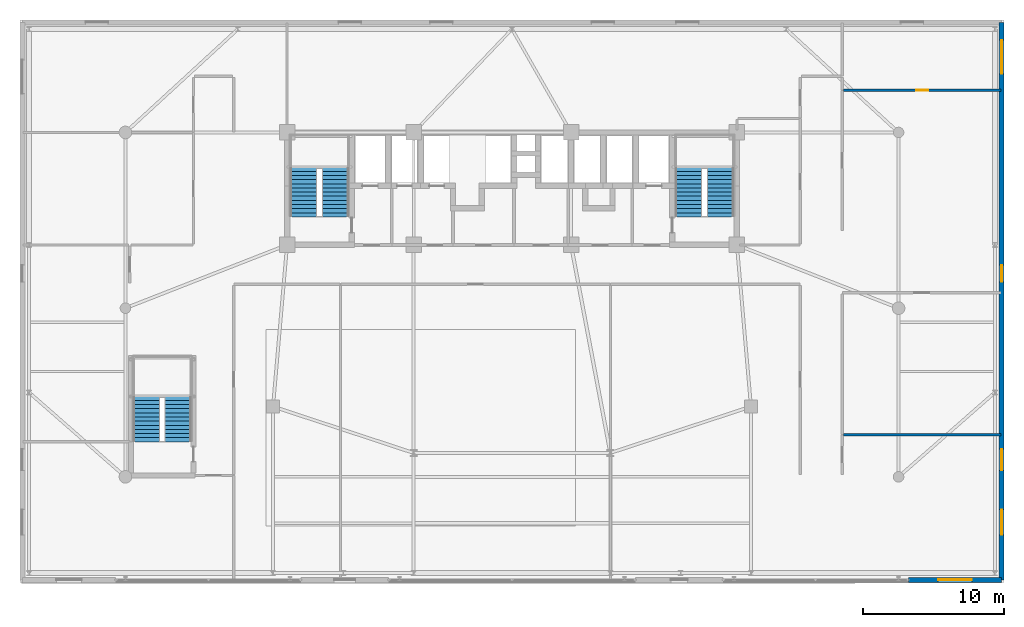
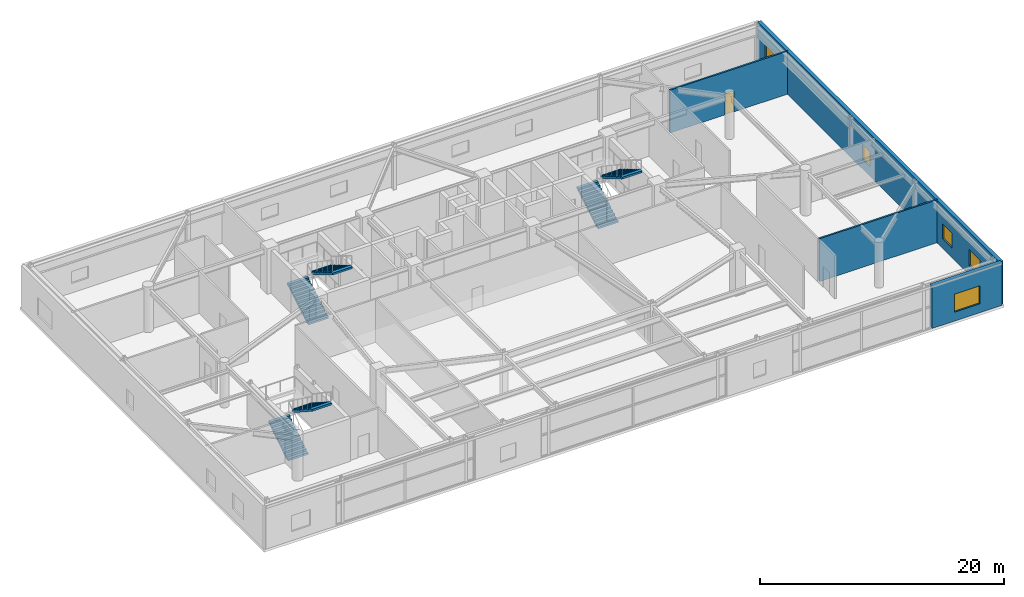
# One storey, part 23 of 26: 6 stair flights, 5 windows, 4 walls, 1 door, 6 openings, 3 elements without a shape of their own.
"""IFC4 building model written with IfcOpenShell, lengths in metres."""

from ifc_helpers import new_model, si_unit, direction, frame, frame_2d, origin, place, context, subcontext, project, spatial, polyline, rectangle, outline, extrude, source, transform, mapped, material, layer, layer_set, type_object, element, fill, aggregate, save


model = new_model("IFC4")

# Units and contexts
model_context = context("Model", 3, precision=1e-05, world=origin(), true_north=direction((0.0, 1.0)))
body_context = subcontext(model_context, "Body", "Model", "MODEL_VIEW")
ifc_project = project(units=[si_unit("LENGTHUNIT", "METRE"), si_unit("AREAUNIT", "SQUARE_METRE"), si_unit("VOLUMEUNIT", "CUBIC_METRE"), si_unit("PLANEANGLEUNIT", "RADIAN"), si_unit("MASSUNIT", "GRAM", prefix="KILO")], contexts=[model_context])

# Site, building, storey
site_placement = place(None, origin())
site = spatial("IfcSite", under=ifc_project, at=site_placement, CompositionType="ELEMENT")
building_placement = place(site_placement, origin())
building = spatial("IfcBuilding", under=site, at=building_placement, Name="Taldren Reach Tower", CompositionType="ELEMENT")
storey_placement = place(building_placement, frame((0.0, 0.0, 8.39990234375)))
storey = spatial("IfcBuildingStorey", under=building, at=storey_placement, Name="L02", CompositionType="ELEMENT", Elevation=8.39990234375)

# Wall, openings, windows
ifc_material_1 = material(Name="Pale Champagne Anodised Aluminium Cladding", Category="aluminium")
ifc_layer_1 = layer(ifc_material_1, 0.04, Name="Pale Champagne Anodised Aluminium Cladding", Category="aluminium")
ifc_material_2 = material(Name="Mineral Wool Thermal Insulation", Category="insulation")
ifc_layer_2 = layer(ifc_material_2, 0.08, Name="Mineral Wool Thermal Insulation", Category="insulation")
ifc_material_3 = material(Name="Concrete S50 (50 MPa)", Category="concrete")
ifc_layer_3 = layer(ifc_material_3, 0.22, Name="Concrete S50 (50 MPa)", Category="concrete")
ifc_layer_set_1 = layer_set([ifc_layer_1, ifc_layer_2, ifc_layer_3], Name="Pale Champagne Aluminium Cladding and Precast Concrete 50 MPa (S50)")
wall_type_1 = type_object("IfcWallType", Name="EW-POD-340", PredefinedType="SOLIDWALL", material=ifc_layer_set_1)
shared_shape_1 = source(origin(), body_context, "Body", "SweptSolid", [
    extrude(rectangle(XDim=39.66015625, YDim=0.340087890625, at=frame_2d((19.830078125, 0.0))), origin(), (0.0, 0.0, 1.0), 4.2900390625),
])
wall_1_placement = place(storey_placement, frame((69.830078125, 0.169921875, 0.0), z_axis=(0.0, 0.0, 1.0), x_axis=(0.0, 1.0, 0.0)))
wall_1 = element("IfcWall", 1, at=wall_1_placement, inside=storey, type_object=wall_type_1, Name="Podium facade wall L02-E", PredefinedType="SOLIDWALL", context=body_context, shape_type="MappedRepresentation", body=[
    mapped(shared_shape_1, transform((0.0, 0.0, 0.0), scale=1.0)),
])
shared_shape_2 = source(origin(), body_context, "Body", "SweptSolid", [
    extrude(rectangle(XDim=1.800048828125, YDim=1.60009765625, at=frame_2d((0.89990234375, 0.800048828125))), frame((0.0, 0.18017578125, 0.0), z_axis=(0.0, -1.0, 0.0), x_axis=(1.0, 0.0, 0.0)), (0.0, 0.0, 1.0), 0.360107421875),
])
opening_1_placement = place(wall_1_placement, frame((3.199951171875, 0.0, 0.949951171875)))
opening_1 = element("IfcOpeningElement", 2, at=opening_1_placement, cuts=wall_1, Name="Opening W-1816", PredefinedType="OPENING", context=body_context, shape_type="MappedRepresentation", body=[
    mapped(shared_shape_2, transform((0.0, 0.0, 0.0), scale=1.0)),
])
shared_shape_3 = source(origin(), body_context, "Body", "SweptSolid", [
    extrude(rectangle(XDim=1.5, YDim=1.5, at=frame_2d((0.75, 0.75))), frame((0.0, 0.18017578125, 0.0), z_axis=(0.0, -1.0, 0.0), x_axis=(1.0, 0.0, 0.0)), (0.0, 0.0, 1.0), 0.360107421875),
])
opening_2_placement = place(wall_1_placement, frame((7.800048828125, 0.0, 0.949951171875)))
opening_2 = element("IfcOpeningElement", 3, at=opening_2_placement, cuts=wall_1, Name="Opening W-1515", PredefinedType="OPENING", context=body_context, shape_type="MappedRepresentation", body=[
    mapped(shared_shape_3, transform((0.0, 0.0, 0.0), scale=1.0)),
])
shared_shape_4 = source(origin(), body_context, "Body", "SweptSolid", [
    extrude(rectangle(XDim=1.199951171875, YDim=1.5, at=frame_2d((0.60009765625, 0.75))), frame((0.0, 0.18017578125, 0.0), z_axis=(0.0, -1.0, 0.0), x_axis=(1.0, 0.0, 0.0)), (0.0, 0.0, 1.0), 0.360107421875),
])
opening_3_placement = place(wall_1_placement, frame((21.199951171875, 0.0, 0.949951171875)))
opening_3 = element("IfcOpeningElement", 4, at=opening_3_placement, cuts=wall_1, Name="Opening W-1215", PredefinedType="OPENING", context=body_context, shape_type="MappedRepresentation", body=[
    mapped(shared_shape_4, transform((0.0, 0.0, 0.0), scale=1.0)),
])
shared_shape_5 = source(origin(), body_context, "Body", "SweptSolid", [
    extrude(rectangle(XDim=2.39990234375, YDim=1.800048828125, at=frame_2d((1.199951171875, 0.89990234375))), frame((0.0, 0.18017578125, 0.0), z_axis=(0.0, -1.0, 0.0), x_axis=(1.0, 0.0, 0.0)), (0.0, 0.0, 1.0), 0.360107421875),
])
opening_4_placement = place(wall_1_placement, frame((36.0, 0.0, 0.949951171875)))
opening_4 = element("IfcOpeningElement", 5, at=opening_4_placement, cuts=wall_1, Name="Opening W-2418", PredefinedType="OPENING", context=body_context, shape_type="MappedRepresentation", body=[
    mapped(shared_shape_5, transform((0.0, 0.0, 0.0), scale=1.0)),
])
ifc_material_4 = material(Name="Thermally Broken Aluminium and Low-E IGU", Category="aluminium")
window_type_1 = type_object("IfcWindowType", Name="WN-POD-1200", PartitioningType="SINGLE_PANEL", PredefinedType="WINDOW", material=ifc_material_4)
shared_shape_6 = source(origin(), body_context, "Body", "SweptSolid", [
    extrude(rectangle(XDim=1.199951171875, YDim=1.5, at=frame_2d((0.60009765625, 0.75))), frame((0.0, 0.030029296875, 0.0), z_axis=(0.0, -1.0, 0.0), x_axis=(1.0, 0.0, 0.0)), (0.0, 0.0, 1.0), 0.06005859375),
])
window_1_placement = place(opening_3_placement, origin())
window_1 = element("IfcWindow", 6, at=window_1_placement, inside=storey, type_object=window_type_1, Name="Clinical window L02-E3", OverallHeight=1.5, OverallWidth=1.199951171875, PartitioningType="SINGLE_PANEL", PredefinedType="WINDOW", context=body_context, shape_type="MappedRepresentation", body=[
    mapped(shared_shape_6, transform((0.0, 0.0, 0.0), scale=1.0)),
])
fill(opening_3, window_1)
window_type_2 = type_object("IfcWindowType", Name="WN-POD-1800", PartitioningType="SINGLE_PANEL", PredefinedType="WINDOW", material=ifc_material_4)
shared_shape_7 = source(origin(), body_context, "Body", "SweptSolid", [
    extrude(rectangle(XDim=1.800048828125, YDim=1.60009765625, at=frame_2d((0.89990234375, 0.800048828125))), frame((0.0, 0.030029296875, 0.0), z_axis=(0.0, -1.0, 0.0), x_axis=(1.0, 0.0, 0.0)), (0.0, 0.0, 1.0), 0.06005859375),
])
window_2_placement = place(opening_1_placement, origin())
window_2 = element("IfcWindow", 7, at=window_2_placement, inside=storey, type_object=window_type_2, Name="Clinical window L02-E1", OverallHeight=1.60009765625, OverallWidth=1.800048828125, PartitioningType="SINGLE_PANEL", PredefinedType="WINDOW", context=body_context, shape_type="MappedRepresentation", body=[
    mapped(shared_shape_7, transform((0.0, 0.0, 0.0), scale=1.0)),
])
fill(opening_1, window_2)
window_type_3 = type_object("IfcWindowType", Name="WN-POD-2400", PartitioningType="SINGLE_PANEL", PredefinedType="WINDOW", material=ifc_material_4)
shared_shape_8 = source(origin(), body_context, "Body", "SweptSolid", [
    extrude(rectangle(XDim=2.39990234375, YDim=1.800048828125, at=frame_2d((1.199951171875, 0.89990234375))), frame((0.0, 0.030029296875, 0.0), z_axis=(0.0, -1.0, 0.0), x_axis=(1.0, 0.0, 0.0)), (0.0, 0.0, 1.0), 0.06005859375),
])
window_3_placement = place(opening_4_placement, origin())
window_3 = element("IfcWindow", 8, at=window_3_placement, inside=storey, type_object=window_type_3, Name="Clinical window L02-E4", OverallHeight=1.800048828125, OverallWidth=2.39990234375, PartitioningType="SINGLE_PANEL", PredefinedType="WINDOW", context=body_context, shape_type="MappedRepresentation", body=[
    mapped(shared_shape_8, transform((0.0, 0.0, 0.0), scale=1.0)),
])
fill(opening_4, window_3)
window_type_4 = type_object("IfcWindowType", Name="WN-POD-1500", PartitioningType="SINGLE_PANEL", PredefinedType="WINDOW", material=ifc_material_4)
shared_shape_9 = source(origin(), body_context, "Body", "SweptSolid", [
    extrude(rectangle(XDim=1.5, YDim=1.5, at=frame_2d((0.75, 0.75))), frame((0.0, 0.030029296875, 0.0), z_axis=(0.0, -1.0, 0.0), x_axis=(1.0, 0.0, 0.0)), (0.0, 0.0, 1.0), 0.06005859375),
])
window_4_placement = place(opening_2_placement, origin())
window_4 = element("IfcWindow", 9, at=window_4_placement, inside=storey, type_object=window_type_4, Name="Clinical window L02-E2", OverallHeight=1.5, OverallWidth=1.5, PartitioningType="SINGLE_PANEL", PredefinedType="WINDOW", context=body_context, shape_type="MappedRepresentation", body=[
    mapped(shared_shape_9, transform((0.0, 0.0, 0.0), scale=1.0)),
])
fill(opening_2, window_4)

# Wall, opening, window
shared_shape_10 = source(origin(), body_context, "Body", "SweptSolid", [
    extrude(rectangle(XDim=6.630126953125, YDim=0.340087890625, at=frame_2d((3.31494140625, 0.0))), origin(), (0.0, 0.0, 1.0), 4.2900390625),
])
wall_2_placement = place(storey_placement, frame((63.199951171875, 0.169921875, 0.0), z_axis=(0.0, 0.0, 1.0), x_axis=(1.0, 0.0, 0.0)))
wall_2 = element("IfcWall", 10, at=wall_2_placement, inside=storey, type_object=wall_type_1, Name="Podium south facade wall L02-S4", PredefinedType="SOLIDWALL", context=body_context, shape_type="MappedRepresentation", body=[
    mapped(shared_shape_10, transform((0.0, 0.0, 0.0), scale=1.0)),
])
opening_5_placement = place(wall_2_placement, frame((2.114990234375, 0.0, 0.89990234375)))
opening_5 = element("IfcOpeningElement", 11, at=opening_5_placement, cuts=wall_2, Name="Opening W-2418", PredefinedType="OPENING", context=body_context, shape_type="MappedRepresentation", body=[
    mapped(shared_shape_5, transform((0.0, 0.0, 0.0), scale=1.0)),
])
window_5_placement = place(opening_5_placement, origin())
window_5 = element("IfcWindow", 12, at=window_5_placement, inside=storey, type_object=window_type_3, Name="Podium clinical window L02-S4", OverallHeight=1.800048828125, OverallWidth=2.39990234375, PartitioningType="SINGLE_PANEL", PredefinedType="WINDOW", context=body_context, shape_type="MappedRepresentation", body=[
    mapped(shared_shape_8, transform((0.0, 0.0, 0.0), scale=1.0)),
])
fill(opening_5, window_5)

# Wall
ifc_material_5 = material(Name="Fire-Rated Acoustic Plasterboard Stud Wall", Category="gypsum")
ifc_layer_4 = layer(ifc_material_5, 0.159912109375)
ifc_layer_set_2 = layer_set([ifc_layer_4], Name="Fire-Rated Acoustic Plasterboard Stud Wall")
wall_type_2 = type_object("IfcWallType", Name="IW-FIRE-160", PredefinedType="PARTITIONING", material=ifc_layer_set_2)
shared_shape_11 = source(origin(), body_context, "Body", "SweptSolid", [
    extrude(rectangle(XDim=11.18994140625, YDim=0.159912109375, at=frame_2d((5.594970703125, 0.0))), origin(), (0.0, 0.0, 1.0), 4.2900390625),
])
wall_3_placement = place(storey_placement, frame((58.580078125, 10.5, 0.0), z_axis=(0.0, 0.0, 1.0), x_axis=(1.0, 0.0, 0.0)))
element("IfcWall", 13, at=wall_3_placement, inside=storey, type_object=wall_type_2, Name="Interior Partition Wall W-INT-L02-079", PredefinedType="PARTITIONING", context=body_context, shape_type="MappedRepresentation", body=[
    mapped(shared_shape_11, transform((0.0, 0.0, 0.0), scale=1.0)),
])

# Wall, opening, door
wall_4_placement = place(storey_placement, frame((58.580078125, 35.0, 0.0), z_axis=(0.0, 0.0, 1.0), x_axis=(1.0, 0.0, 0.0)))
wall_4 = element("IfcWall", 14, at=wall_4_placement, inside=storey, type_object=wall_type_2, Name="Interior Partition Wall W-INT-L02-080", PredefinedType="PARTITIONING", context=body_context, shape_type="MappedRepresentation", body=[
    mapped(shared_shape_11, transform((0.0, 0.0, 0.0), scale=1.0)),
])
shared_shape_12 = source(origin(), body_context, "Body", "SweptSolid", [
    extrude(rectangle(XDim=0.860107421875, YDim=2.10009765625, at=frame_2d((0.43017578125, 1.050048828125))), frame((0.0, 0.08984375, 0.0), z_axis=(0.0, -1.0, 0.0), x_axis=(1.0, 0.0, 0.0)), (0.0, 0.0, 1.0), 0.179931640625),
])
opening_6_placement = place(wall_4_placement, frame((5.1650390625, 0.0, 0.0)))
opening_6 = element("IfcOpeningElement", 15, at=opening_6_placement, cuts=wall_4, Name="Opening DI-086", PredefinedType="OPENING", context=body_context, shape_type="MappedRepresentation", body=[
    mapped(shared_shape_12, transform((0.0, 0.0, 0.0), scale=1.0)),
])
ifc_material_6 = material(Name="Timber Bathroom Door", Category="wood")
door_type = type_object("IfcDoorType", Name="ID-INT-086", OperationType="NOTDEFINED", PredefinedType="DOOR", material=ifc_material_6)
shared_shape_13 = source(origin(), body_context, "Body", "SweptSolid", [
    extrude(rectangle(XDim=0.860107421875, YDim=2.10009765625, at=frame_2d((0.43017578125, 1.050048828125))), frame((0.0, 0.02490234375, 0.0), z_axis=(0.0, -1.0, 0.0), x_axis=(1.0, 0.0, 0.0)), (0.0, 0.0, 1.0), 0.050048828125),
])
door_placement = place(opening_6_placement, origin())
door = element("IfcDoor", 16, at=door_placement, inside=storey, type_object=door_type, Name="Interior Door DR-L02-022", OperationType="SINGLE_SWING_LEFT", OverallHeight=2.10009765625, OverallWidth=0.860107421875, PredefinedType="DOOR", context=body_context, shape_type="MappedRepresentation", body=[
    mapped(shared_shape_13, transform((0.0, 0.0, 0.0), scale=1.0)),
])
fill(opening_6, door)

# Stair, stair flights
stair_type_1 = type_object("IfcStairType", Name="ST-HT-455", PredefinedType="HALF_TURN_STAIR", material=ifc_material_3)
stair_1_placement = place(storey_placement, origin())
stair_1 = element("IfcStair", 17, at=stair_1_placement, inside=storey, type_object=stair_type_1, Name="Fire-isolated exit stair ST1 L02", PredefinedType="HALF_TURN_STAIR")
stair_flight_type_1 = type_object("IfcStairFlightType", Name="SF-STR-455", PredefinedType="STRAIGHT", material=ifc_material_3)
stair_flight_1_placement = place(storey_placement, frame((20.169921875, 25.989990234375, 0.0), z_axis=(0.0, 0.0, 1.0), x_axis=(0.0, 1.0, 0.0)))
stair_flight_1 = element("IfcStairFlight", 18, at=stair_flight_1_placement, type_object=stair_flight_type_1, Name="ST1 flight 1", NumberOfRisers=13, NumberOfTreads=12, PredefinedType="STRAIGHT", RiserHeight=0.175, TreadLength=0.295, context=body_context, shape_type="SweptSolid", body=[
    extrude(outline(polyline([(0.0, 0.0), (0.0, 0.175048828125), (0.294921875, 0.175048828125), (0.294921875, 0.35009765625), (0.590087890625, 0.35009765625), (0.590087890625, 0.52490234375), (0.885009765625, 0.52490234375), (0.885009765625, 0.699951171875), (1.179931640625, 0.699951171875), (1.179931640625, 0.875), (1.47509765625, 0.875), (1.47509765625, 1.050048828125), (1.77001953125, 1.050048828125), (1.77001953125, 1.22509765625), (2.06494140625, 1.22509765625), (2.06494140625, 1.39990234375), (2.360107421875, 1.39990234375), (2.360107421875, 1.574951171875), (2.655029296875, 1.574951171875), (2.655029296875, 1.75), (2.949951171875, 1.75), (2.949951171875, 1.925048828125), (3.2451171875, 1.925048828125), (3.2451171875, 2.10009765625), (3.5400390625, 2.10009765625), (3.5400390625, 2.27490234375), (3.5400390625, 1.9140625), (0.3134765625, 0.0), (0.0, 0.0)])), frame((0.0, 0.949951171875, 0.0), z_axis=(0.0, -1.0, 0.0), x_axis=(1.0, 0.0, 0.0)), (0.0, 0.0, 1.0), 1.89990234375),
])
stair_flight_2_placement = place(storey_placement, frame((22.429931640625, 29.530029296875, 2.275146484375), z_axis=(0.0, 0.0, 1.0), x_axis=(0.0, -1.0, 0.0)))
stair_flight_2 = element("IfcStairFlight", 19, at=stair_flight_2_placement, type_object=stair_flight_type_1, Name="ST1 flight 2", NumberOfRisers=13, NumberOfTreads=12, PredefinedType="STRAIGHT", RiserHeight=0.175, TreadLength=0.295, context=body_context, shape_type="SweptSolid", body=[
    extrude(outline(polyline([(0.0, 0.0), (0.0, 0.175048828125), (0.294921875, 0.175048828125), (0.294921875, 0.35009765625), (0.590087890625, 0.35009765625), (0.590087890625, 0.52490234375), (0.885009765625, 0.52490234375), (0.885009765625, 0.699951171875), (1.179931640625, 0.699951171875), (1.179931640625, 0.875), (1.47509765625, 0.875), (1.47509765625, 1.050048828125), (1.77001953125, 1.050048828125), (1.77001953125, 1.22509765625), (2.06494140625, 1.22509765625), (2.06494140625, 1.39990234375), (2.360107421875, 1.39990234375), (2.360107421875, 1.574951171875), (2.655029296875, 1.574951171875), (2.655029296875, 1.75), (2.949951171875, 1.75), (2.949951171875, 1.925048828125), (3.2451171875, 1.925048828125), (3.2451171875, 2.10009765625), (3.5400390625, 2.10009765625), (3.5400390625, 2.27490234375), (3.5400390625, 1.9140625), (0.3134765625, 0.0), (0.0, 0.0)])), frame((0.0, 0.949951171875, 0.0), z_axis=(0.0, -1.0, 0.0), x_axis=(1.0, 0.0, 0.0)), (0.0, 0.0, 1.0), 1.89990234375),
])
aggregate(stair_1, [stair_flight_1, stair_flight_2])

stair_2_placement = place(storey_placement, origin())
stair_2 = element("IfcStair", 20, at=stair_2_placement, inside=storey, type_object=stair_type_1, Name="Fire-isolated exit stair ST2 L02", PredefinedType="HALF_TURN_STAIR")
stair_flight_3_placement = place(storey_placement, frame((47.570068359375, 25.989990234375, 0.0), z_axis=(0.0, 0.0, 1.0), x_axis=(0.0, 1.0, 0.0)))
stair_flight_3 = element("IfcStairFlight", 21, at=stair_flight_3_placement, type_object=stair_flight_type_1, Name="ST2 flight 1", NumberOfRisers=13, NumberOfTreads=12, PredefinedType="STRAIGHT", RiserHeight=0.175, TreadLength=0.295, context=body_context, shape_type="SweptSolid", body=[
    extrude(outline(polyline([(0.0, 0.0), (0.0, 0.175048828125), (0.294921875, 0.175048828125), (0.294921875, 0.35009765625), (0.590087890625, 0.35009765625), (0.590087890625, 0.52490234375), (0.885009765625, 0.52490234375), (0.885009765625, 0.699951171875), (1.179931640625, 0.699951171875), (1.179931640625, 0.875), (1.47509765625, 0.875), (1.47509765625, 1.050048828125), (1.77001953125, 1.050048828125), (1.77001953125, 1.22509765625), (2.06494140625, 1.22509765625), (2.06494140625, 1.39990234375), (2.360107421875, 1.39990234375), (2.360107421875, 1.574951171875), (2.655029296875, 1.574951171875), (2.655029296875, 1.75), (2.949951171875, 1.75), (2.949951171875, 1.925048828125), (3.2451171875, 1.925048828125), (3.2451171875, 2.10009765625), (3.5400390625, 2.10009765625), (3.5400390625, 2.27490234375), (3.5400390625, 1.9140625), (0.3134765625, 0.0), (0.0, 0.0)])), frame((0.0, 0.949951171875, 0.0), z_axis=(0.0, -1.0, 0.0), x_axis=(1.0, 0.0, 0.0)), (0.0, 0.0, 1.0), 1.89990234375),
])
stair_flight_4_placement = place(storey_placement, frame((49.830078125, 29.530029296875, 2.275146484375), z_axis=(0.0, 0.0, 1.0), x_axis=(0.0, -1.0, 0.0)))
stair_flight_4 = element("IfcStairFlight", 22, at=stair_flight_4_placement, type_object=stair_flight_type_1, Name="ST2 flight 2", NumberOfRisers=13, NumberOfTreads=12, PredefinedType="STRAIGHT", RiserHeight=0.175, TreadLength=0.295, context=body_context, shape_type="SweptSolid", body=[
    extrude(outline(polyline([(0.0, 0.0), (0.0, 0.175048828125), (0.294921875, 0.175048828125), (0.294921875, 0.35009765625), (0.590087890625, 0.35009765625), (0.590087890625, 0.52490234375), (0.885009765625, 0.52490234375), (0.885009765625, 0.699951171875), (1.179931640625, 0.699951171875), (1.179931640625, 0.875), (1.47509765625, 0.875), (1.47509765625, 1.050048828125), (1.77001953125, 1.050048828125), (1.77001953125, 1.22509765625), (2.06494140625, 1.22509765625), (2.06494140625, 1.39990234375), (2.360107421875, 1.39990234375), (2.360107421875, 1.574951171875), (2.655029296875, 1.574951171875), (2.655029296875, 1.75), (2.949951171875, 1.75), (2.949951171875, 1.925048828125), (3.2451171875, 1.925048828125), (3.2451171875, 2.10009765625), (3.5400390625, 2.10009765625), (3.5400390625, 2.27490234375), (3.5400390625, 1.9140625), (0.3134765625, 0.0), (0.0, 0.0)])), frame((0.0, 0.949951171875, 0.0), z_axis=(0.0, -1.0, 0.0), x_axis=(1.0, 0.0, 0.0)), (0.0, 0.0, 1.0), 1.89990234375),
])
aggregate(stair_2, [stair_flight_3, stair_flight_4])

stair_type_2 = type_object("IfcStairType", Name="ST-HT-POD", PredefinedType="HALF_TURN_STAIR", material=ifc_material_3)
stair_3_placement = place(storey_placement, origin())
stair_3 = element("IfcStair", 23, at=stair_3_placement, inside=storey, type_object=stair_type_2, Name="Fire-isolated exit stair ST3 L02", PredefinedType="HALF_TURN_STAIR")
stair_flight_type_2 = type_object("IfcStairFlightType", Name="SF-STR-POD", PredefinedType="STRAIGHT", material=ifc_material_3)
stair_flight_5_placement = place(storey_placement, frame((9.0, 9.989990234375, 0.0), z_axis=(0.0, 0.0, 1.0), x_axis=(0.0, 1.0, 0.0)))
stair_flight_5 = element("IfcStairFlight", 24, at=stair_flight_5_placement, type_object=stair_flight_type_2, Name="ST3 flight 1", NumberOfRisers=12, NumberOfTreads=11, PredefinedType="STRAIGHT", RiserHeight=0.189583, TreadLength=0.295, context=body_context, shape_type="SweptSolid", body=[
    extrude(outline(polyline([(0.0, 0.0), (0.0, 0.189697265625), (0.294921875, 0.189697265625), (0.294921875, 0.379150390625), (0.590087890625, 0.379150390625), (0.590087890625, 0.56884765625), (0.885009765625, 0.56884765625), (0.885009765625, 0.75830078125), (1.179931640625, 0.75830078125), (1.179931640625, 0.947998046875), (1.47509765625, 0.947998046875), (1.47509765625, 1.137451171875), (1.77001953125, 1.137451171875), (1.77001953125, 1.3271484375), (2.06494140625, 1.3271484375), (2.06494140625, 1.5166015625), (2.360107421875, 1.5166015625), (2.360107421875, 1.706298828125), (2.655029296875, 1.706298828125), (2.655029296875, 1.895751953125), (2.949951171875, 1.895751953125), (2.949951171875, 2.08544921875), (3.2451171875, 2.08544921875), (3.2451171875, 2.27490234375), (3.2451171875, 1.895263671875), (0.2958984375, 0.0), (0.0, 0.0)])), frame((0.0, 0.949951171875, 0.0), z_axis=(0.0, -1.0, 0.0), x_axis=(1.0, 0.0, 0.0)), (0.0, 0.0, 1.0), 1.89990234375),
])
stair_flight_6_placement = place(storey_placement, frame((11.239990234375, 13.235107421875, 2.275146484375), z_axis=(0.0, 0.0, 1.0), x_axis=(0.0, -1.0, 0.0)))
stair_flight_6 = element("IfcStairFlight", 25, at=stair_flight_6_placement, type_object=stair_flight_type_2, Name="ST3 flight 2", NumberOfRisers=12, NumberOfTreads=11, PredefinedType="STRAIGHT", RiserHeight=0.189583, TreadLength=0.295, context=body_context, shape_type="SweptSolid", body=[
    extrude(outline(polyline([(0.0, 0.0), (0.0, 0.189697265625), (0.294921875, 0.189697265625), (0.294921875, 0.379150390625), (0.590087890625, 0.379150390625), (0.590087890625, 0.56884765625), (0.885009765625, 0.56884765625), (0.885009765625, 0.75830078125), (1.179931640625, 0.75830078125), (1.179931640625, 0.947998046875), (1.47509765625, 0.947998046875), (1.47509765625, 1.137451171875), (1.77001953125, 1.137451171875), (1.77001953125, 1.3271484375), (2.06494140625, 1.3271484375), (2.06494140625, 1.5166015625), (2.360107421875, 1.5166015625), (2.360107421875, 1.706298828125), (2.655029296875, 1.706298828125), (2.655029296875, 1.895751953125), (2.949951171875, 1.895751953125), (2.949951171875, 2.08544921875), (3.2451171875, 2.08544921875), (3.2451171875, 2.27490234375), (3.2451171875, 1.895263671875), (0.2958984375, 0.0), (0.0, 0.0)])), frame((0.0, 0.949951171875, 0.0), z_axis=(0.0, -1.0, 0.0), x_axis=(1.0, 0.0, 0.0)), (0.0, 0.0, 1.0), 1.89990234375),
])
aggregate(stair_3, [stair_flight_5, stair_flight_6])

save(model, "model.ifc")
